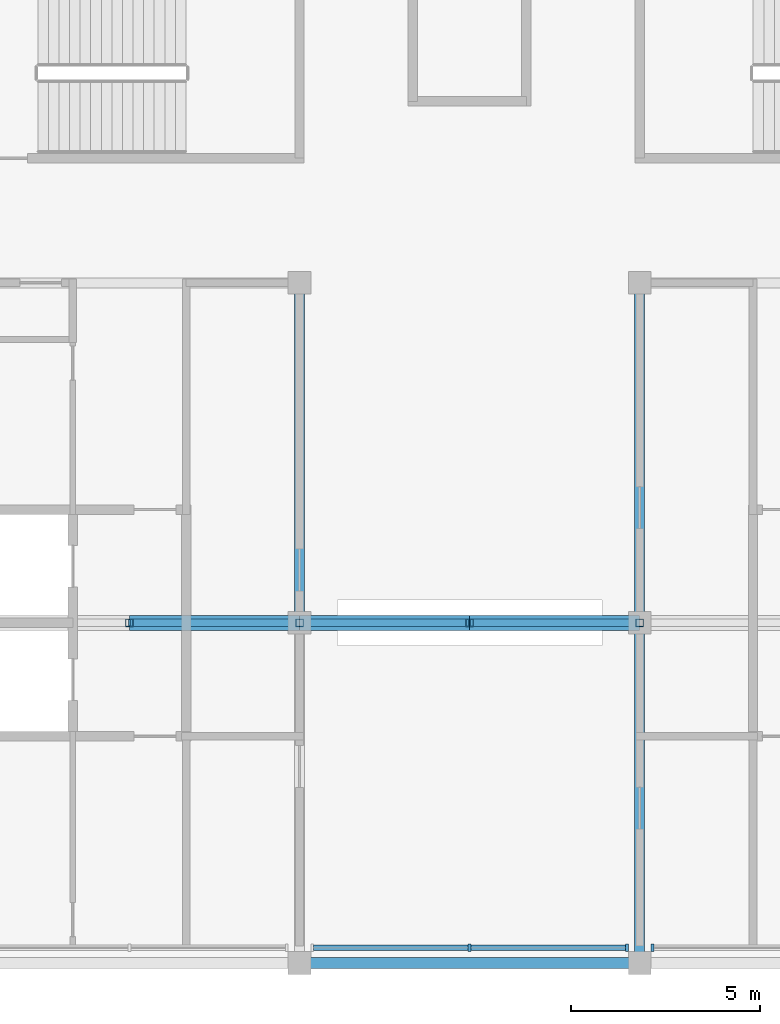
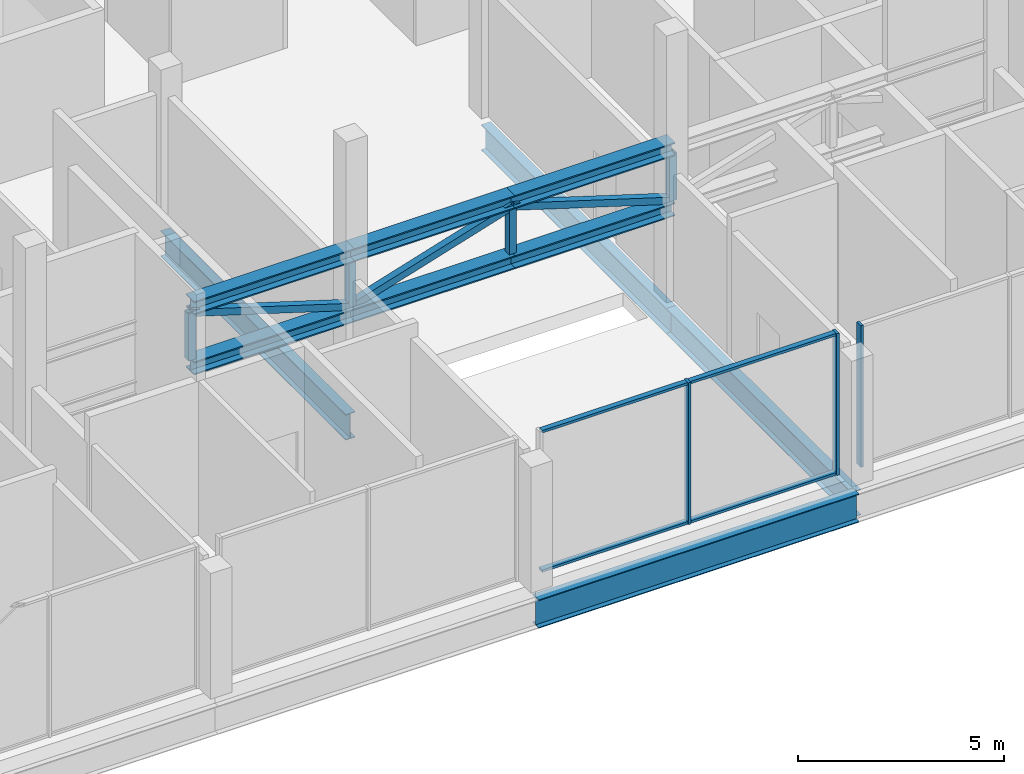
# One storey, part 3 of 14: 20 members, 4 beams, 2 elements without a shape of their own.
"""IFC4 building model written with IfcOpenShell, lengths in metres."""

from ifc_helpers import new_model, si_unit, direction, frame, origin, origin_2d, place, context, subcontext, project, spatial, rectangle, hollow_rectangle, i_section, extrude, material, layer, layer_set, material_profile, profile_set, type_object, element, aggregate, save


model = new_model("IFC4")

# Units and contexts
model_context = context("Model", 3, precision=1e-05, world=origin(), true_north=direction((0.0, 1.0)))
body_context = subcontext(model_context, "Body", "Model", "MODEL_VIEW")
ifc_project = project(units=[si_unit("LENGTHUNIT", "METRE"), si_unit("AREAUNIT", "SQUARE_METRE"), si_unit("VOLUMEUNIT", "CUBIC_METRE"), si_unit("PLANEANGLEUNIT", "RADIAN"), si_unit("MASSUNIT", "GRAM", prefix="KILO")], contexts=[model_context])

# Site, building, storey
site_placement = place(None, origin())
site = spatial("IfcSite", under=ifc_project, at=site_placement, CompositionType="ELEMENT")
building_placement = place(site_placement, origin())
building = spatial("IfcBuilding", under=site, at=building_placement, Name="Corbelhall Arena Tower", CompositionType="ELEMENT")
storey_placement = place(building_placement, frame((0.0, 0.0, 376.0)))
storey = spatial("IfcBuildingStorey", under=building, at=storey_placement, Name="L81", CompositionType="ELEMENT", Elevation=376.0)

# Curtain wall, members
ifc_material_1 = material(Name="Aluminium black anodised", Category="aluminium")
ifc_layer = layer(ifc_material_1, 0.179931640625)
ifc_layer_set = layer_set([ifc_layer], Name="EV-CW3 Crown glazing")
curtain_wall_type = type_object("IfcCurtainWallType", Name="EV-CW3 Crown glazing", PredefinedType="NOTDEFINED", material=ifc_layer_set)
curtain_wall_1_placement = place(storey_placement, origin())
curtain_wall_1 = element("IfcCurtainWall", 1, at=curtain_wall_1_placement, inside=storey, type_object=curtain_wall_type, Name="Curtain wall CW3D", PredefinedType="NOTDEFINED")
ifc_material_profile_1 = material_profile(ifc_material_1, rectangle(XDim=0.199951171875, YDim=0.074951171875, at=origin_2d()))
ifc_profile_set_1 = profile_set([ifc_material_profile_1], Name="Aluminium black anodised")
member_type_1 = type_object("IfcMemberType", Name="EV-CW3-MULLION", PredefinedType="MULLION", material=ifc_profile_set_1)
member_1_placement = place(storey_placement, frame((0.0, -8.60009765625, 0.0), z_axis=(0.0, 0.0, 1.0), x_axis=(0.0, 1.0, 0.0)))
member_1 = element("IfcMember", 2, at=member_1_placement, type_object=member_type_1, Name="CW3D mullion 2", PredefinedType="MULLION", context=body_context, shape_type="SweptSolid", body=[
    extrude(rectangle(XDim=0.199951171875, YDim=0.074951171875, at=origin_2d()), origin(), (0.0, 0.0, 1.0), 4.20654296875),
])
member_2_placement = place(storey_placement, frame((4.16259765625, -8.60009765625, 0.0), z_axis=(0.0, 0.0, 1.0), x_axis=(0.0, 1.0, 0.0)))
member_2 = element("IfcMember", 3, at=member_2_placement, type_object=member_type_1, Name="CW3D mullion 3", PredefinedType="MULLION", context=body_context, shape_type="SweptSolid", body=[
    extrude(rectangle(XDim=0.199951171875, YDim=0.074951171875, at=origin_2d()), origin(), (0.0, 0.0, 1.0), 4.20654296875),
])

# Curtain wall, member
curtain_wall_2_placement = place(storey_placement, origin())
curtain_wall_2 = element("IfcCurtainWall", 4, at=curtain_wall_2_placement, inside=storey, type_object=curtain_wall_type, Name="Curtain wall CW3D", PredefinedType="NOTDEFINED")
member_3_placement = place(storey_placement, frame((4.83740234375, -8.60009765625, 0.0), z_axis=(0.0, 0.0, 1.0), x_axis=(0.0, 1.0, 0.0)))
member_3 = element("IfcMember", 5, at=member_3_placement, type_object=member_type_1, Name="CW3D mullion 1", PredefinedType="MULLION", context=body_context, shape_type="SweptSolid", body=[
    extrude(rectangle(XDim=0.199951171875, YDim=0.074951171875, at=origin_2d()), origin(), (0.0, 0.0, 1.0), 4.20654296875),
])
aggregate(curtain_wall_2, [member_3])

# Member
ifc_material_profile_2 = material_profile(ifc_material_1, rectangle(XDim=0.14990234375, YDim=0.074951171875, at=origin_2d()))
ifc_profile_set_2 = profile_set([ifc_material_profile_2], Name="Aluminium black anodised")
member_type_2 = type_object("IfcMemberType", Name="EV-CW3-TRANSOM", PredefinedType="USERDEFINED", material=ifc_profile_set_2)
member_4_placement = place(storey_placement, frame((-4.125, -8.60009765625, 0.03759765625), z_axis=(1.0, 0.0, 0.0), x_axis=(0.0, 1.0, 0.0)))
member_4 = element("IfcMember", 6, at=member_4_placement, type_object=member_type_2, Name="CW3D transom 1.1", ObjectType="transom", PredefinedType="USERDEFINED", context=body_context, shape_type="SweptSolid", body=[
    extrude(rectangle(XDim=0.14990234375, YDim=0.074951171875, at=origin_2d()), origin(), (0.0, 0.0, 1.0), 4.08740234375),
])

member_5_placement = place(storey_placement, frame((-4.125, -8.60009765625, 4.1689453125), z_axis=(1.0, 0.0, 0.0), x_axis=(0.0, 1.0, 0.0)))
member_5 = element("IfcMember", 7, at=member_5_placement, type_object=member_type_2, Name="CW3D transom 1.2", ObjectType="transom", PredefinedType="USERDEFINED", context=body_context, shape_type="SweptSolid", body=[
    extrude(rectangle(XDim=0.14990234375, YDim=0.074951171875, at=origin_2d()), origin(), (0.0, 0.0, 1.0), 4.08740234375),
])

member_6_placement = place(storey_placement, frame((0.03759765625, -8.60009765625, 0.03759765625), z_axis=(1.0, 0.0, 0.0), x_axis=(0.0, 1.0, 0.0)))
member_6 = element("IfcMember", 8, at=member_6_placement, type_object=member_type_2, Name="CW3D transom 2.1", ObjectType="transom", PredefinedType="USERDEFINED", context=body_context, shape_type="SweptSolid", body=[
    extrude(rectangle(XDim=0.14990234375, YDim=0.074951171875, at=origin_2d()), origin(), (0.0, 0.0, 1.0), 4.08740234375),
])

member_7_placement = place(storey_placement, frame((0.03759765625, -8.60009765625, 4.1689453125), z_axis=(1.0, 0.0, 0.0), x_axis=(0.0, 1.0, 0.0)))
member_7 = element("IfcMember", 9, at=member_7_placement, type_object=member_type_2, Name="CW3D transom 2.2", ObjectType="transom", PredefinedType="USERDEFINED", context=body_context, shape_type="SweptSolid", body=[
    extrude(rectangle(XDim=0.14990234375, YDim=0.074951171875, at=origin_2d()), origin(), (0.0, 0.0, 1.0), 4.08740234375),
])

aggregate(curtain_wall_1, [member_1, member_2, member_4, member_5, member_6, member_7])

# Beams
ifc_material_2 = material(Name="Steel ASTM A992 Gr50", Category="steel")
ifc_material_profile_3 = material_profile(ifc_material_2, i_section(OverallWidth=0.2666015625, OverallDepth=0.761962890625, WebThickness=0.014404296875, FlangeThickness=0.021484375, at=origin_2d()))
ifc_profile_set_3 = profile_set([ifc_material_profile_3], Name="Steel ASTM A992 Gr50")
beam_type_1 = type_object("IfcBeamType", Name="ST-BEAM-W30x116", PredefinedType="BEAM", material=ifc_profile_set_3)
for number, where, z_axis, x_axis, name in (
    (10, (-4.5, 0.0, -0.781494140625), (0.0, 1.0, 0.0), (-1.0, 0.0, 0.0), "Beam CEW 4"),
    (11, (4.5, -9.0, -0.781494140625), (0.0, 1.0, 0.0), (-1.0, 0.0, 0.0), "Beam CEE 6"),
    (12, (4.5, 0.0, -0.781494140625), (0.0, 1.0, 0.0), (-1.0, 0.0, 0.0), "Beam CEE 7"),
):
    element("IfcBeam", number, at=place(storey_placement, frame(where, z_axis=z_axis, x_axis=x_axis)), inside=storey, type_object=beam_type_1, Name=name, PredefinedType="BEAM", context=body_context, shape_type="SweptSolid", body=[
        extrude(i_section(OverallWidth=0.2666015625, OverallDepth=0.761962890625, WebThickness=0.014404296875, FlangeThickness=0.021484375, at=origin_2d()), origin(), (0.0, 0.0, 1.0), 9.0),
    ])

# Members
ifc_material_profile_4 = material_profile(ifc_material_2, i_section(OverallWidth=0.398681640625, OverallDepth=0.393798828125, WebThickness=0.022705078125, FlangeThickness=0.03662109375, at=origin_2d()))
ifc_profile_set_4 = profile_set([ifc_material_profile_4], Name="Steel ASTM A992 Gr50")
member_type_3 = type_object("IfcMemberType", Name="ST-CHORD-W14x193", PredefinedType="CHORD", material=ifc_profile_set_4)
for number, where, z_axis, x_axis, name in (
    (13, (-9.0, 0.0, 2.616943359375), (1.0, 0.0, 0.0), (0.0, 1.0, 0.0), "Damper truss chord BC 2"),
    (14, (-4.5, 0.0, 2.616943359375), (1.0, 0.0, 0.0), (0.0, 1.0, 0.0), "Damper truss chord BC 3"),
    (15, (0.0, 0.0, 2.616943359375), (1.0, 0.0, 0.0), (0.0, 1.0, 0.0), "Damper truss chord BC 4"),
    (16, (-9.0, 0.0, 4.40283203125), (1.0, 0.0, 0.0), (0.0, 1.0, 0.0), "Damper truss chord TC 2"),
    (17, (-4.5, 0.0, 4.40283203125), (1.0, 0.0, 0.0), (0.0, 1.0, 0.0), "Damper truss chord TC 3"),
    (18, (0.0, 0.0, 4.40283203125), (1.0, 0.0, 0.0), (0.0, 1.0, 0.0), "Damper truss chord TC 4"),
):
    element("IfcMember", number, at=place(storey_placement, frame(where, z_axis=z_axis, x_axis=x_axis)), inside=storey, type_object=member_type_3, Name=name, PredefinedType="CHORD", context=body_context, shape_type="SweptSolid", body=[
        extrude(i_section(OverallWidth=0.398681640625, OverallDepth=0.393798828125, WebThickness=0.022705078125, FlangeThickness=0.03662109375, at=origin_2d()), origin(), (0.0, 0.0, 1.0), 4.5),
    ])
ifc_material_3 = material(Name="Steel ASTM A500 Gr C", Category="steel")
ifc_material_profile_5 = material_profile(ifc_material_3, hollow_rectangle(XDim=0.203125, YDim=0.203125, WallThickness=0.0087890625, at=origin_2d()))
ifc_profile_set_5 = profile_set([ifc_material_profile_5], Name="Steel ASTM A500 Gr C")
member_type_4 = type_object("IfcMemberType", Name="ST-POST-HSS8x8x3/8", PredefinedType="POST", material=ifc_profile_set_5)
for number, where, z_axis, x_axis, name in (
    (19, (-9.0, 0.0, 2.813720703125), (0.0, 0.0, 1.0), (1.0, 0.0, 0.0), "Damper truss post 2"),
    (20, (-4.5, 0.0, 2.813720703125), (0.0, 0.0, 1.0), (1.0, 0.0, 0.0), "Damper truss post 3"),
    (21, (0.0, 0.0, 2.813720703125), (0.0, 0.0, 1.0), (1.0, 0.0, 0.0), "Damper truss post 4"),
    (22, (4.5, 0.0, 2.813720703125), (0.0, 0.0, 1.0), (1.0, 0.0, 0.0), "Damper truss post 5"),
):
    element("IfcMember", number, at=place(storey_placement, frame(where, z_axis=z_axis, x_axis=x_axis)), inside=storey, type_object=member_type_4, Name=name, PredefinedType="POST", context=body_context, shape_type="SweptSolid", body=[
        extrude(hollow_rectangle(XDim=0.203125, YDim=0.203125, WallThickness=0.0087890625, at=origin_2d()), origin(), (0.0, 0.0, 1.0), 1.39208984375),
    ])

# Beam
ifc_material_profile_6 = material_profile(ifc_material_2, i_section(OverallWidth=0.2919921875, OverallDepth=0.845703125, WebThickness=0.015380859375, FlangeThickness=0.0244140625, at=origin_2d()))
ifc_profile_set_6 = profile_set([ifc_material_profile_6], Name="Steel ASTM A992 Gr50")
beam_type_2 = type_object("IfcBeamType", Name="ST-SPANDREL-W33x141", PredefinedType="SPANDREL", material=ifc_profile_set_6)
beam_placement = place(storey_placement, frame((4.5, -9.0, -0.8232421875), z_axis=(-1.0, 0.0, 0.0), x_axis=(0.0, -1.0, 0.0)))
element("IfcBeam", 23, at=beam_placement, inside=storey, type_object=beam_type_2, Name="Beam SP 3", PredefinedType="SPANDREL", context=body_context, shape_type="SweptSolid", body=[
    extrude(i_section(OverallWidth=0.2919921875, OverallDepth=0.845703125, WebThickness=0.015380859375, FlangeThickness=0.0244140625, at=origin_2d()), origin(), (0.0, 0.0, 1.0), 9.0),
])

# Members
ifc_material_profile_7 = material_profile(ifc_material_3, hollow_rectangle(XDim=0.203125, YDim=0.203125, WallThickness=0.0087890625, at=origin_2d()))
ifc_profile_set_7 = profile_set([ifc_material_profile_7], Name="Steel ASTM A500 Gr C")
member_type_5 = type_object("IfcMemberType", Name="ST-STRUT-HSS8x8x3/8", PredefinedType="STRUT", material=ifc_profile_set_7)
for number, where, z_axis, x_axis, name in (
    (24, (-4.5, 0.0, 2.813720703125), (-0.955331890716, 0.0, 0.295535071661), (0.0, -1.0, 0.0), "Damper truss diagonal 2"),
    (25, (-4.5, 0.0, 2.813720703125), (0.955331890716, 0.0, 0.295535071661), (0.0, 1.0, 0.0), "Damper truss diagonal 3"),
    (26, (4.5, 0.0, 2.813720703125), (-0.955331890716, 0.0, 0.295535071661), (0.0, -1.0, 0.0), "Damper truss diagonal 4"),
):
    element("IfcMember", number, at=place(storey_placement, frame(where, z_axis=z_axis, x_axis=x_axis)), inside=storey, type_object=member_type_5, Name=name, PredefinedType="STRUT", context=body_context, shape_type="SweptSolid", body=[
        extrude(hollow_rectangle(XDim=0.203125, YDim=0.203125, WallThickness=0.0087890625, at=origin_2d()), origin(), (0.0, 0.0, 1.0), 4.71044921875),
    ])

save(model, "model.ifc")
